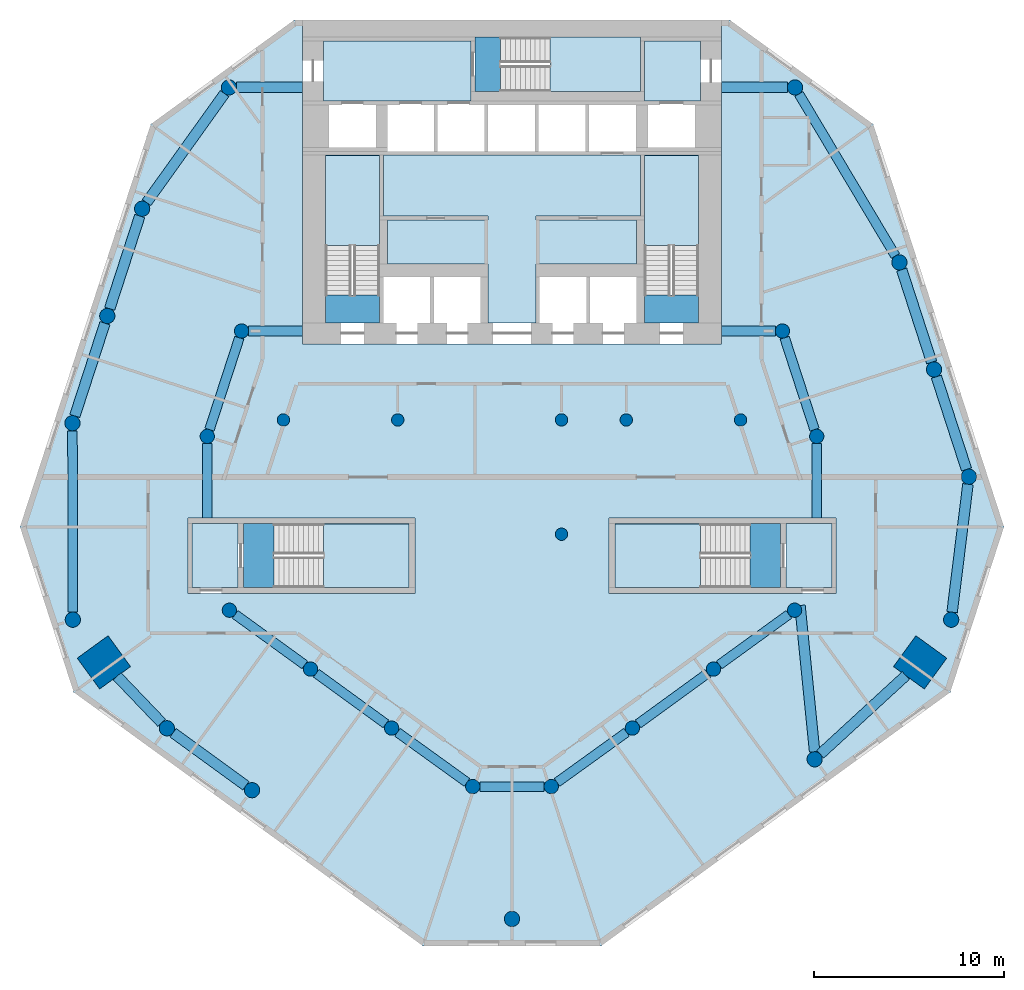
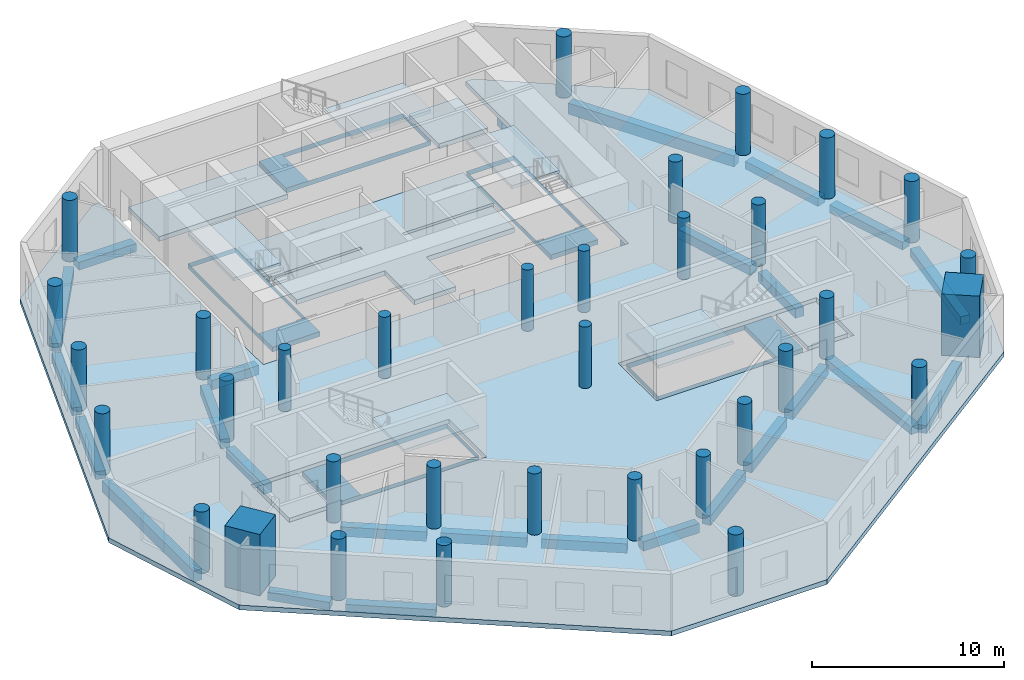
# One storey, part 1 of 9: 34 columns, 27 beams, 16 slabs, 5 elements without a shape of their own.
"""IFC4 building model written with IfcOpenShell, lengths in metres."""

from ifc_helpers import new_model, si_unit, direction, frame, origin, origin_2d, place, context, subcontext, project, spatial, polyline, rectangle, circle, outline, extrude, material, layer, layer_set, material_profile, profile_set, type_object, element, aggregate, save


model = new_model("IFC4")

# Units and contexts
model_context = context("Model", 3, precision=1e-05, world=origin(), true_north=direction((0.0, 1.0)))
body_context = subcontext(model_context, "Body", "Model", "MODEL_VIEW")
ifc_project = project(units=[si_unit("LENGTHUNIT", "METRE"), si_unit("AREAUNIT", "SQUARE_METRE"), si_unit("VOLUMEUNIT", "CUBIC_METRE"), si_unit("PLANEANGLEUNIT", "RADIAN"), si_unit("MASSUNIT", "GRAM", prefix="KILO")], contexts=[model_context])

# Site, building, storey
site_placement = place(None, origin())
site = spatial("IfcSite", under=ifc_project, at=site_placement, CompositionType="ELEMENT")
building_placement = place(site_placement, origin())
building = spatial("IfcBuilding", under=site, at=building_placement, Name="White Candle Pilgrim Tower", CompositionType="ELEMENT")
storey_placement = place(building_placement, frame((0.0, 0.0, 110.300048828125)))
storey = spatial("IfcBuildingStorey", under=building, at=storey_placement, Name="L24", CompositionType="ELEMENT", Elevation=110.300048828125)

# Columns
ifc_material_1 = material(Name="Concrete C80/95", Category="concrete")
ifc_material_profile_1 = material_profile(ifc_material_1, circle(Radius=0.324951171875, at=origin_2d()), Name="RC-COL D650")
ifc_profile_set_1 = profile_set([ifc_material_profile_1], Name="Concrete C80/95")
column_type_1 = type_object("IfcColumnType", Name="Interior column RC-COL D650 C80/95", PredefinedType="COLUMN", material=ifc_profile_set_1)
for number, where, z_axis, x_axis, name in (
    (1, (58.0, 67.0, 0.0), (0.0, 0.0, 1.0), (1.0, 0.0, 0.0), "L24 column I01"),
    (2, (64.0, 67.0, 0.0), (0.0, 0.0, 1.0), (1.0, 0.0, 0.0), "L24 column I02"),
    (3, (72.60009765625, 61.0, 0.0), (0.0, 0.0, 1.0), (1.0, 0.0, 0.0), "L24 column I03"),
    (4, (72.60009765625, 67.0, 0.0), (0.0, 0.0, 1.0), (1.0, 0.0, 0.0), "L24 column I04"),
    (5, (76.0, 67.0, 0.0), (0.0, 0.0, 1.0), (1.0, 0.0, 0.0), "L24 column I05"),
    (6, (82.0, 67.0, 0.0), (0.0, 0.0, 1.0), (1.0, 0.0, 0.0), "L24 column I06"),
):
    element("IfcColumn", number, at=place(storey_placement, frame(where, z_axis=z_axis, x_axis=x_axis)), inside=storey, type_object=column_type_1, Name=name, PredefinedType="COLUMN", context=body_context, shape_type="SweptSolid", body=[
        extrude(circle(Radius=0.324951171875, at=origin_2d()), origin(), (0.0, 0.0, 1.0), 3.89990234375),
    ])
ifc_material_profile_2 = material_profile(ifc_material_1, rectangle(XDim=2.0, YDim=2.0, at=origin_2d()), Name="RC 2000x2000")
ifc_profile_set_2 = profile_set([ifc_material_profile_2], Name="Concrete C80/95")
column_type_2 = type_object("IfcColumnType", Name="Mega column RC 2000x2000 C80/95", PredefinedType="COLUMN", material=ifc_profile_set_2)
for number, where, z_axis, x_axis, name in (
    (7, (48.570068359375, 54.27001953125, 0.0), (0.0, 0.0, 1.0), (-0.809016994375, -0.587785252292, 0.0), "L24 mega column T02"),
    (8, (91.429931640625, 54.27001953125, 0.0), (0.0, 0.0, 1.0), (0.809016994375, -0.587785252292, 0.0), "L24 mega column T07"),
):
    element("IfcColumn", number, at=place(storey_placement, frame(where, z_axis=z_axis, x_axis=x_axis)), inside=storey, type_object=column_type_2, Name=name, PredefinedType="COLUMN", context=body_context, shape_type="SweptSolid", body=[
        extrude(rectangle(XDim=2.0, YDim=2.0, at=origin_2d()), origin(), (0.0, 0.0, 1.0), 3.89990234375),
    ])
ifc_material_profile_3 = material_profile(ifc_material_1, circle(Radius=0.39990234375, at=origin_2d()), Name="RC-COL D800")
ifc_profile_set_3 = profile_set([ifc_material_profile_3], Name="Concrete C80/95")
column_type_3 = type_object("IfcColumnType", Name="Perimeter column RC-COL D800 C80/95", PredefinedType="COLUMN", material=ifc_profile_set_3)
for number, where, z_axis, x_axis, name in (
    (9, (46.93994140625, 56.510009765625, 0.0), (0.0, 0.0, 1.0), (1.0, 0.0, 0.0), "L24 column T01"),
    (10, (51.8798828125, 50.81005859375, 0.0), (0.0, 0.0, 1.0), (1.0, 0.0, 0.0), "L24 column T03"),
    (11, (56.35009765625, 47.56005859375, 0.0), (0.0, 0.0, 1.0), (1.0, 0.0, 0.0), "L24 column T04"),
    (12, (70.0, 40.800048828125, 0.0), (0.0, 0.0, 1.0), (1.0, 0.0, 0.0), "L24 column T05"),
    (13, (85.889892578125, 49.179931640625, 0.0), (0.0, 0.0, 1.0), (1.0, 0.0, 0.0), "L24 column T06"),
    (14, (93.06005859375, 56.510009765625, 0.0), (0.0, 0.0, 1.0), (1.0, 0.0, 0.0), "L24 column T08"),
    (15, (93.989990234375, 64.02001953125, 0.0), (0.0, 0.0, 1.0), (1.0, 0.0, 0.0), "L24 column T09"),
    (16, (92.159912109375, 69.64990234375, 0.0), (0.0, 0.0, 1.0), (1.0, 0.0, 0.0), "L24 column T10"),
    (17, (90.340087890625, 75.27001953125, 0.0), (0.0, 0.0, 1.0), (1.0, 0.0, 0.0), "L24 column T11"),
    (18, (84.860107421875, 84.4599609375, 0.0), (0.0, 0.0, 1.0), (1.0, 0.0, 0.0), "L24 column T12"),
    (19, (55.139892578125, 84.4599609375, 0.0), (0.0, 0.0, 1.0), (1.0, 0.0, 0.0), "L24 column T13"),
    (20, (50.580078125, 78.090087890625, 0.0), (0.0, 0.0, 1.0), (1.0, 0.0, 0.0), "L24 column T14"),
    (21, (48.75, 72.4599609375, 0.0), (0.0, 0.0, 1.0), (1.0, 0.0, 0.0), "L24 column T15"),
    (22, (46.919921875, 66.830078125, 0.0), (0.0, 0.0, 1.0), (1.0, 0.0, 0.0), "L24 column T16"),
):
    element("IfcColumn", number, at=place(storey_placement, frame(where, z_axis=z_axis, x_axis=x_axis)), inside=storey, type_object=column_type_3, Name=name, PredefinedType="COLUMN", context=body_context, shape_type="SweptSolid", body=[
        extrude(circle(Radius=0.39990234375, at=origin_2d()), origin(), (0.0, 0.0, 1.0), 3.89990234375),
    ])
ifc_material_profile_4 = material_profile(ifc_material_1, circle(Radius=0.375, at=origin_2d()), Name="RC-COL D750")
ifc_profile_set_4 = profile_set([ifc_material_profile_4], Name="Concrete C80/95")
column_type_4 = type_object("IfcColumnType", Name="Ring column RC-COL D750 C80/95", PredefinedType="COLUMN", material=ifc_profile_set_4)
for number, where, z_axis, x_axis, name in (
    (23, (55.159912109375, 57.010009765625, 0.0), (0.0, 0.0, 1.0), (1.0, 0.0, 0.0), "L24 column R01"),
    (24, (59.419921875, 53.919921875, 0.0), (0.0, 0.0, 1.0), (1.0, 0.0, 0.0), "L24 column R02"),
    (25, (63.679931640625, 50.820068359375, 0.0), (0.0, 0.0, 1.0), (1.0, 0.0, 0.0), "L24 column R03"),
    (26, (67.93994140625, 47.75, 0.0), (0.0, 0.0, 1.0), (1.0, 0.0, 0.0), "L24 column R04"),
    (27, (72.06005859375, 47.75, 0.0), (0.0, 0.0, 1.0), (1.0, 0.0, 0.0), "L24 column R05"),
    (28, (76.320068359375, 50.820068359375, 0.0), (0.0, 0.0, 1.0), (1.0, 0.0, 0.0), "L24 column R06"),
    (29, (80.580078125, 53.919921875, 0.0), (0.0, 0.0, 1.0), (1.0, 0.0, 0.0), "L24 column R07"),
    (30, (84.840087890625, 57.010009765625, 0.0), (0.0, 0.0, 1.0), (1.0, 0.0, 0.0), "L24 column R08"),
    (31, (86.0, 66.139892578125, 0.0), (0.0, 0.0, 1.0), (1.0, 0.0, 0.0), "L24 column R09"),
    (32, (84.199951171875, 71.669921875, 0.0), (0.0, 0.0, 1.0), (1.0, 0.0, 0.0), "L24 column R10"),
    (33, (55.800048828125, 71.669921875, 0.0), (0.0, 0.0, 1.0), (1.0, 0.0, 0.0), "L24 column R11"),
    (34, (54.0, 66.139892578125, 0.0), (0.0, 0.0, 1.0), (1.0, 0.0, 0.0), "L24 column R12"),
):
    element("IfcColumn", number, at=place(storey_placement, frame(where, z_axis=z_axis, x_axis=x_axis)), inside=storey, type_object=column_type_4, Name=name, PredefinedType="COLUMN", context=body_context, shape_type="SweptSolid", body=[
        extrude(circle(Radius=0.375, at=origin_2d()), origin(), (0.0, 0.0, 1.0), 3.89990234375),
    ])

# Beams
ifc_material_2 = material(Name="Concrete C50/60", Category="concrete")
ifc_material_profile_5 = material_profile(ifc_material_2, rectangle(XDim=0.5, YDim=0.60009765625, at=origin_2d()), Name="RC-BM 500x600")
ifc_profile_set_5 = profile_set([ifc_material_profile_5], Name="Concrete C50/60")
beam_type_1 = type_object("IfcBeamType", Name="Ring beam RC-BM 500x600 C50/60", PredefinedType="BEAM", material=ifc_profile_set_5)
beam_1_placement = place(storey_placement, frame((55.46337890625, 56.789794921875, -0.60009765625), z_axis=(0.809505029053, -0.587112943084, 0.0), x_axis=(0.587112943084, 0.809505029053, 0.0)))
element("IfcBeam", 35, at=beam_1_placement, inside=storey, type_object=beam_type_1, Name="L24 ring beam R01", PredefinedType="BEAM", context=body_context, shape_type="SweptSolid", body=[
    extrude(rectangle(XDim=0.5, YDim=0.60009765625, at=origin_2d()), origin(), (0.0, 0.0, 1.0), 4.512939453125),
])
beam_2_placement = place(storey_placement, frame((59.72314453125, 53.699462890625, -0.60009765625), z_axis=(0.808565500751, -0.588406178583, 0.0), x_axis=(0.588406178583, 0.808565500751, 0.0)))
element("IfcBeam", 36, at=beam_2_placement, inside=storey, type_object=beam_type_1, Name="L24 ring beam R02", PredefinedType="BEAM", context=body_context, shape_type="SweptSolid", body=[
    extrude(rectangle(XDim=0.5, YDim=0.60009765625, at=origin_2d()), origin(), (0.0, 0.0, 1.0), 4.518798828125),
])
beam_3_placement = place(storey_placement, frame((63.984130859375, 50.600830078125, -0.60009765625), z_axis=(0.811270905805, -0.584670434856, 0.0), x_axis=(0.584670434856, 0.811270905805, 0.0)))
element("IfcBeam", 37, at=beam_3_placement, inside=storey, type_object=beam_type_1, Name="L24 ring beam R03", PredefinedType="BEAM", context=body_context, shape_type="SweptSolid", body=[
    extrude(rectangle(XDim=0.5, YDim=0.60009765625, at=origin_2d()), origin(), (0.0, 0.0, 1.0), 4.50146484375),
])
beam_4_placement = place(storey_placement, frame((68.31494140625, 47.75, -0.60009765625), z_axis=(1.0, 0.0, 0.0), x_axis=(0.0, 1.0, 0.0)))
element("IfcBeam", 38, at=beam_4_placement, inside=storey, type_object=beam_type_1, Name="L24 ring beam R04", PredefinedType="BEAM", context=body_context, shape_type="SweptSolid", body=[
    extrude(rectangle(XDim=0.5, YDim=0.60009765625, at=origin_2d()), origin(), (0.0, 0.0, 1.0), 3.3701171875),
])
beam_5_placement = place(storey_placement, frame((72.364013671875, 47.968994140625, -0.60009765625), z_axis=(0.811270905805, 0.584670434856, 0.0), x_axis=(-0.584670434856, 0.811270905805, 0.0)))
element("IfcBeam", 39, at=beam_5_placement, inside=storey, type_object=beam_type_1, Name="L24 ring beam R05", PredefinedType="BEAM", context=body_context, shape_type="SweptSolid", body=[
    extrude(rectangle(XDim=0.5, YDim=0.60009765625, at=origin_2d()), origin(), (0.0, 0.0, 1.0), 4.50146484375),
])
beam_6_placement = place(storey_placement, frame((76.623046875, 51.04052734375, -0.60009765625), z_axis=(0.808565500751, 0.588406178583, 0.0), x_axis=(-0.588406178583, 0.808565500751, 0.0)))
element("IfcBeam", 40, at=beam_6_placement, inside=storey, type_object=beam_type_1, Name="L24 ring beam R06", PredefinedType="BEAM", context=body_context, shape_type="SweptSolid", body=[
    extrude(rectangle(XDim=0.5, YDim=0.60009765625, at=origin_2d()), origin(), (0.0, 0.0, 1.0), 4.518798828125),
])
beam_7_placement = place(storey_placement, frame((80.88330078125, 54.14013671875, -0.60009765625), z_axis=(0.809505029053, 0.587112943084, 0.0), x_axis=(-0.587112943084, 0.809505029053, 0.0)))
element("IfcBeam", 41, at=beam_7_placement, inside=storey, type_object=beam_type_1, Name="L24 ring beam R07", PredefinedType="BEAM", context=body_context, shape_type="SweptSolid", body=[
    extrude(rectangle(XDim=0.5, YDim=0.60009765625, at=origin_2d()), origin(), (0.0, 0.0, 1.0), 4.512939453125),
])
beam_8_placement = place(storey_placement, frame((86.0, 65.764892578125, -0.60009765625), z_axis=(0.0, -1.0, 0.0), x_axis=(1.0, 0.0, 0.0)))
element("IfcBeam", 42, at=beam_8_placement, inside=storey, type_object=beam_type_1, Name="L24 ring beam R08", PredefinedType="BEAM", context=body_context, shape_type="SweptSolid", body=[
    extrude(rectangle(XDim=0.5, YDim=0.60009765625, at=origin_2d()), origin(), (0.0, 0.0, 1.0), 3.914794921875),
])
beam_9_placement = place(storey_placement, frame((85.884033203125, 66.49658203125, -0.60009765625), z_axis=(-0.309554632353, 0.950881659087, 0.0), x_axis=(-0.950881659087, -0.309554632353, 0.0)))
element("IfcBeam", 43, at=beam_9_placement, inside=storey, type_object=beam_type_1, Name="L24 ring beam R09", PredefinedType="BEAM", context=body_context, shape_type="SweptSolid", body=[
    extrude(rectangle(XDim=0.5, YDim=0.60009765625, at=origin_2d()), origin(), (0.0, 0.0, 1.0), 5.065673828125),
])
for number, where, z_axis, x_axis, name in (
    (44, (83.824951171875, 71.669921875, -0.60009765625), (-1.0, 0.0, 0.0), (0.0, -1.0, 0.0), "L24 ring beam R10"),
    (45, (56.175048828125, 71.669921875, -0.60009765625), (1.0, 0.0, 0.0), (0.0, 1.0, 0.0), "L24 ring beam R11"),
):
    element("IfcBeam", number, at=place(storey_placement, frame(where, z_axis=z_axis, x_axis=x_axis)), inside=storey, type_object=beam_type_1, Name=name, PredefinedType="BEAM", context=body_context, shape_type="SweptSolid", body=[
        extrude(rectangle(XDim=0.5, YDim=0.60009765625, at=origin_2d()), origin(), (0.0, 0.0, 1.0), 2.824951171875),
    ])
beam_10_placement = place(storey_placement, frame((55.68408203125, 71.3134765625, -0.60009765625), z_axis=(-0.309554632353, -0.950881659087, 0.0), x_axis=(0.950881659087, -0.309554632353, 0.0)))
element("IfcBeam", 46, at=beam_10_placement, inside=storey, type_object=beam_type_1, Name="L24 ring beam R12", PredefinedType="BEAM", context=body_context, shape_type="SweptSolid", body=[
    extrude(rectangle(XDim=0.5, YDim=0.60009765625, at=origin_2d()), origin(), (0.0, 0.0, 1.0), 5.065673828125),
])
beam_11_placement = place(storey_placement, frame((54.0, 65.764892578125, -0.60009765625), z_axis=(0.0, -1.0, 0.0), x_axis=(1.0, 0.0, 0.0)))
element("IfcBeam", 47, at=beam_11_placement, inside=storey, type_object=beam_type_1, Name="L24 ring beam R13", PredefinedType="BEAM", context=body_context, shape_type="SweptSolid", body=[
    extrude(rectangle(XDim=0.5, YDim=0.60009765625, at=origin_2d()), origin(), (0.0, 0.0, 1.0), 3.914794921875),
])
ifc_material_profile_6 = material_profile(ifc_material_2, rectangle(XDim=0.5, YDim=0.699951171875, at=origin_2d()), Name="RC-BM 500x700")
ifc_profile_set_6 = profile_set([ifc_material_profile_6], Name="Concrete C50/60")
beam_type_2 = type_object("IfcBeamType", Name="Spandrel beam RC-BM 500x700 C50/60", PredefinedType="BEAM", material=ifc_profile_set_6)
beam_12_placement = place(storey_placement, frame((90.13525390625, 75.61328125, -0.650146484375), z_axis=(-0.51215480768, 0.858893155736, 0.0), x_axis=(-0.858893155736, -0.51215480768, 0.0)))
element("IfcBeam", 48, at=beam_12_placement, inside=storey, type_object=beam_type_2, Name="L24 spandrel beam T08", PredefinedType="BEAM", context=body_context, shape_type="SweptSolid", body=[
    extrude(rectangle(XDim=0.5, YDim=0.699951171875, at=origin_2d()), origin(), (0.0, 0.0, 1.0), 9.900390625),
])
beam_13_placement = place(storey_placement, frame((46.9208984375, 66.429931640625, -0.650146484375), z_axis=(0.001923369269, -0.999998150324, 0.0), x_axis=(0.999998150324, 0.001923369269, 0.0)))
element("IfcBeam", 49, at=beam_13_placement, inside=storey, type_object=beam_type_2, Name="L24 spandrel beam T14", PredefinedType="BEAM", context=body_context, shape_type="SweptSolid", body=[
    extrude(rectangle(XDim=0.5, YDim=0.699951171875, at=origin_2d()), origin(), (0.0, 0.0, 1.0), 9.52001953125),
])
ifc_material_profile_7 = material_profile(ifc_material_2, rectangle(XDim=0.550048828125, YDim=0.5, at=origin_2d()), Name="RC-BM 550x500")
ifc_profile_set_7 = profile_set([ifc_material_profile_7], Name="Concrete C50/60")
beam_type_3 = type_object("IfcBeamType", Name="Spandrel beam RC-BM 550x500 C50/60", PredefinedType="BEAM", material=ifc_profile_set_7)
beam_14_placement = place(storey_placement, frame((49.267578125, 53.540771484375, -0.550048828125), z_axis=(0.6912554522, -0.722610475847, 0.0), x_axis=(0.722610475847, 0.6912554522, 0.0)))
element("IfcBeam", 50, at=beam_14_placement, inside=storey, type_object=beam_type_3, Name="L24 spandrel beam T01", PredefinedType="BEAM", context=body_context, shape_type="SweptSolid", body=[
    extrude(rectangle(XDim=0.550048828125, YDim=0.5, at=origin_2d()), origin(), (0.0, 0.0, 1.0), 3.379150390625),
])
beam_15_placement = place(storey_placement, frame((52.203369140625, 50.574951171875, -0.550048828125), z_axis=(0.808812014489, -0.5880672795, 0.0), x_axis=(0.5880672795, 0.808812014489, 0.0)))
element("IfcBeam", 51, at=beam_15_placement, inside=storey, type_object=beam_type_3, Name="L24 spandrel beam T02", PredefinedType="BEAM", context=body_context, shape_type="SweptSolid", body=[
    extrude(rectangle(XDim=0.550048828125, YDim=0.5, at=origin_2d()), origin(), (0.0, 0.0, 1.0), 4.72705078125),
])
beam_16_placement = place(storey_placement, frame((85.889892578125, 49.580078125, -0.550048828125), z_axis=(-0.099547579937, 0.995032803142, 0.0), x_axis=(-0.995032803142, -0.099547579937, 0.0)))
element("IfcBeam", 52, at=beam_16_placement, inside=storey, type_object=beam_type_3, Name="L24 spandrel beam T03", PredefinedType="BEAM", context=body_context, shape_type="SweptSolid", body=[
    extrude(rectangle(XDim=0.550048828125, YDim=0.5, at=origin_2d()), origin(), (0.0, 0.0, 1.0), 7.715576171875),
])
beam_17_placement = place(storey_placement, frame((86.184326171875, 49.450439453125, -0.550048828125), z_axis=(0.736374917929, 0.67657370644, 0.0), x_axis=(-0.67657370644, 0.736374917929, 0.0)))
element("IfcBeam", 53, at=beam_17_placement, inside=storey, type_object=beam_type_3, Name="L24 spandrel beam T04", PredefinedType="BEAM", context=body_context, shape_type="SweptSolid", body=[
    extrude(rectangle(XDim=0.550048828125, YDim=0.5, at=origin_2d()), origin(), (0.0, 0.0, 1.0), 6.103271484375),
])
beam_18_placement = place(storey_placement, frame((93.109130859375, 56.906982421875, -0.550048828125), z_axis=(0.122911300598, 0.992417660154, 0.0), x_axis=(-0.992417660154, 0.122911300598, 0.0)))
element("IfcBeam", 54, at=beam_18_placement, inside=storey, type_object=beam_type_3, Name="L24 spandrel beam T05", PredefinedType="BEAM", context=body_context, shape_type="SweptSolid", body=[
    extrude(rectangle(XDim=0.550048828125, YDim=0.5, at=origin_2d()), origin(), (0.0, 0.0, 1.0), 6.767333984375),
])
beam_19_placement = place(storey_placement, frame((93.866455078125, 64.400390625, -0.550048828125), z_axis=(-0.309123808161, 0.95102180376, 0.0), x_axis=(-0.95102180376, -0.309123808161, 0.0)))
element("IfcBeam", 55, at=beam_19_placement, inside=storey, type_object=beam_type_3, Name="L24 spandrel beam T06", PredefinedType="BEAM", context=body_context, shape_type="SweptSolid", body=[
    extrude(rectangle(XDim=0.550048828125, YDim=0.5, at=origin_2d()), origin(), (0.0, 0.0, 1.0), 5.1201171875),
])
beam_20_placement = place(storey_placement, frame((92.036865234375, 70.030517578125, -0.550048828125), z_axis=(-0.308114253226, 0.951349361149, 0.0), x_axis=(-0.951349361149, -0.308114253226, 0.0)))
element("IfcBeam", 56, at=beam_20_placement, inside=storey, type_object=beam_type_3, Name="L24 spandrel beam T07", PredefinedType="BEAM", context=body_context, shape_type="SweptSolid", body=[
    extrude(rectangle(XDim=0.550048828125, YDim=0.5, at=origin_2d()), origin(), (0.0, 0.0, 1.0), 5.107666015625),
])
for number, where, z_axis, x_axis, name in (
    (57, (84.4599609375, 84.4599609375, -0.550048828125), (-1.0, 0.0, 0.0), (0.0, -1.0, 0.0), "L24 spandrel beam T09"),
    (58, (55.5400390625, 84.4599609375, -0.550048828125), (1.0, 0.0, 0.0), (0.0, 1.0, 0.0), "L24 spandrel beam T10"),
):
    element("IfcBeam", number, at=place(storey_placement, frame(where, z_axis=z_axis, x_axis=x_axis)), inside=storey, type_object=beam_type_3, Name=name, PredefinedType="BEAM", context=body_context, shape_type="SweptSolid", body=[
        extrude(rectangle(XDim=0.550048828125, YDim=0.5, at=origin_2d()), origin(), (0.0, 0.0, 1.0), 3.4599609375),
    ])
beam_21_placement = place(storey_placement, frame((54.9072265625, 84.135009765625, -0.550048828125), z_axis=(-0.582065224797, -0.813142099563, 0.0), x_axis=(0.813142099563, -0.582065224797, 0.0)))
element("IfcBeam", 59, at=beam_21_placement, inside=storey, type_object=beam_type_3, Name="L24 spandrel beam T11", PredefinedType="BEAM", context=body_context, shape_type="SweptSolid", body=[
    extrude(rectangle(XDim=0.550048828125, YDim=0.5, at=origin_2d()), origin(), (0.0, 0.0, 1.0), 7.034423828125),
])
for number, where, z_axis, x_axis, name in (
    (60, (50.456298828125, 77.709716796875, -0.550048828125), (-0.309123808161, -0.95102180376, 0.0), (0.95102180376, -0.309123808161, 0.0), "L24 spandrel beam T12"),
    (61, (48.62646484375, 72.07958984375, -0.550048828125), (-0.309123808161, -0.95102180376, 0.0), (0.95102180376, -0.309123808161, 0.0), "L24 spandrel beam T13"),
):
    element("IfcBeam", number, at=place(storey_placement, frame(where, z_axis=z_axis, x_axis=x_axis)), inside=storey, type_object=beam_type_3, Name=name, PredefinedType="BEAM", context=body_context, shape_type="SweptSolid", body=[
        extrude(rectangle(XDim=0.550048828125, YDim=0.5, at=origin_2d()), origin(), (0.0, 0.0, 1.0), 5.1201171875),
    ])

# Slabs
ifc_material_3 = material(Name="Concrete C40/50", Category="concrete")
ifc_layer_1 = layer(ifc_material_3, 0.300048828125)
ifc_layer_set_1 = layer_set([ifc_layer_1], Name="Core floor slab 300 mm Concrete C40/50")
slab_type_1 = type_object("IfcSlabType", Name="Core floor slab 300 mm Concrete C40/50", PredefinedType="FLOOR", material=ifc_layer_set_1)
slab_1_placement = place(storey_placement, frame((0.0, 0.0, -0.300048828125)))
element("IfcSlab", 62, at=slab_1_placement, inside=storey, type_object=slab_type_1, Name="CF-L24-01", PredefinedType="FLOOR", context=body_context, shape_type="SweptSolid", body=[
    extrude(outline(polyline([(55.60009765625, 58.199951171875), (53.199951171875, 58.199951171875), (53.199951171875, 61.550048828125), (55.60009765625, 61.550048828125), (55.60009765625, 58.199951171875)])), origin(), (0.0, 0.0, 1.0), 0.300048828125),
])
slab_2_placement = place(storey_placement, frame((0.0, 0.0, -0.300048828125)))
element("IfcSlab", 63, at=slab_2_placement, inside=storey, type_object=slab_type_1, Name="CF-L24-02", PredefinedType="FLOOR", context=body_context, shape_type="SweptSolid", body=[
    extrude(outline(polyline([(55.89990234375, 58.199951171875), (55.89990234375, 61.550048828125), (64.60009765625, 61.550048828125), (64.60009765625, 58.199951171875), (55.89990234375, 58.199951171875)]), holes=[polyline([(57.501953125, 61.548095703125), (57.501953125, 58.201904296875), (64.597900390625, 58.201904296875), (64.597900390625, 61.548095703125), (57.501953125, 61.548095703125)])]), origin(), (0.0, 0.0, 1.0), 0.300048828125),
])
slab_3_placement = place(storey_placement, frame((0.0, 0.0, -0.300048828125)))
element("IfcSlab", 64, at=slab_3_placement, inside=storey, type_object=slab_type_1, Name="CF-L24-03", PredefinedType="FLOOR", context=body_context, shape_type="SweptSolid", body=[
    extrude(outline(polyline([(75.39990234375, 58.199951171875), (75.39990234375, 61.550048828125), (84.10009765625, 61.550048828125), (84.10009765625, 58.199951171875), (75.39990234375, 58.199951171875)]), holes=[polyline([(82.498046875, 58.201904296875), (82.498046875, 61.548095703125), (75.402099609375, 61.548095703125), (75.402099609375, 58.201904296875), (82.498046875, 58.201904296875)])]), origin(), (0.0, 0.0, 1.0), 0.300048828125),
])
slab_4_placement = place(storey_placement, frame((0.0, 0.0, -0.300048828125)))
element("IfcSlab", 65, at=slab_4_placement, inside=storey, type_object=slab_type_1, Name="CF-L24-04", PredefinedType="FLOOR", context=body_context, shape_type="SweptSolid", body=[
    extrude(outline(polyline([(86.800048828125, 58.199951171875), (84.39990234375, 58.199951171875), (84.39990234375, 61.550048828125), (86.800048828125, 61.550048828125), (86.800048828125, 58.199951171875)])), origin(), (0.0, 0.0, 1.0), 0.300048828125),
])
slab_5_placement = place(storey_placement, frame((0.0, 0.0, -0.300048828125)))
element("IfcSlab", 66, at=slab_5_placement, inside=storey, type_object=slab_type_1, Name="CF-L24-05", PredefinedType="FLOOR", context=body_context, shape_type="SweptSolid", body=[
    extrude(outline(polyline([(76.75, 87.10009765625), (76.75, 86.89990234375), (76.75, 84.25), (68.050048828125, 84.25), (68.050048828125, 86.89990234375), (68.050048828125, 87.10009765625), (76.75, 87.10009765625)]), holes=[polyline([(69.402099609375, 87.097900390625), (69.402099609375, 84.251953125), (76.748046875, 84.251953125), (76.748046875, 87.097900390625), (69.402099609375, 87.097900390625)])]), origin(), (0.0, 0.0, 1.0), 0.300048828125),
])
slab_6_placement = place(storey_placement, frame((0.0, 0.0, -0.300048828125)))
element("IfcSlab", 67, at=slab_6_placement, inside=storey, type_object=slab_type_1, Name="CF-L24-06", PredefinedType="FLOOR", context=body_context, shape_type="SweptSolid", body=[
    extrude(outline(polyline([(79.89990234375, 86.89990234375), (79.89990234375, 83.75), (76.949951171875, 83.75), (76.949951171875, 84.25), (76.949951171875, 86.89990234375), (79.89990234375, 86.89990234375)])), origin(), (0.0, 0.0, 1.0), 0.300048828125),
])
slab_7_placement = place(storey_placement, frame((0.0, 0.0, -0.300048828125)))
element("IfcSlab", 68, at=slab_7_placement, inside=storey, type_object=slab_type_1, Name="CF-L24-07", PredefinedType="FLOOR", context=body_context, shape_type="SweptSolid", body=[
    extrude(outline(polyline([(76.949951171875, 72.10009765625), (76.949951171875, 74.5), (76.949951171875, 75.199951171875), (76.949951171875, 77.5), (76.949951171875, 77.699951171875), (76.949951171875, 80.89990234375), (79.800048828125, 80.89990234375), (79.800048828125, 72.10009765625), (76.949951171875, 72.10009765625)]), holes=[polyline([(76.951904296875, 73.552001953125), (79.798095703125, 73.552001953125), (79.798095703125, 80.89794921875), (76.951904296875, 80.89794921875), (76.951904296875, 73.552001953125)])]), origin(), (0.0, 0.0, 1.0), 0.300048828125),
])
slab_8_placement = place(storey_placement, frame((0.0, 0.0, -0.300048828125)))
element("IfcSlab", 69, at=slab_8_placement, inside=storey, type_object=slab_type_1, Name="CF-L24-08", PredefinedType="FLOOR", context=body_context, shape_type="SweptSolid", body=[
    extrude(outline(polyline([(68.75, 72.10009765625), (68.75, 74.5), (68.75, 75.199951171875), (63.449951171875, 75.199951171875), (63.449951171875, 77.5), (68.75, 77.5), (68.75, 77.699951171875), (63.25, 77.699951171875), (63.25, 80.89990234375), (76.75, 80.89990234375), (76.75, 77.699951171875), (71.25, 77.699951171875), (71.25, 77.5), (76.550048828125, 77.5), (76.550048828125, 75.199951171875), (71.25, 75.199951171875), (71.25, 74.5), (71.25, 72.10009765625), (68.75, 72.10009765625)])), origin(), (0.0, 0.0, 1.0), 0.300048828125),
])
slab_9_placement = place(storey_placement, frame((0.0, 0.0, -0.300048828125)))
element("IfcSlab", 70, at=slab_9_placement, inside=storey, type_object=slab_type_1, Name="CF-L24-09", PredefinedType="FLOOR", context=body_context, shape_type="SweptSolid", body=[
    extrude(outline(polyline([(60.199951171875, 72.10009765625), (60.199951171875, 80.89990234375), (63.050048828125, 80.89990234375), (63.050048828125, 77.699951171875), (63.050048828125, 77.5), (63.050048828125, 75.199951171875), (63.050048828125, 74.5), (63.050048828125, 72.10009765625), (60.199951171875, 72.10009765625)]), holes=[polyline([(60.201904296875, 73.552001953125), (63.048095703125, 73.552001953125), (63.048095703125, 80.89794921875), (60.201904296875, 80.89794921875), (60.201904296875, 73.552001953125)])]), origin(), (0.0, 0.0, 1.0), 0.300048828125),
])
slab_10_placement = place(storey_placement, frame((0.0, 0.0, -0.300048828125)))
element("IfcSlab", 71, at=slab_10_placement, inside=storey, type_object=slab_type_1, Name="CF-L24-10", PredefinedType="FLOOR", context=body_context, shape_type="SweptSolid", body=[
    extrude(outline(polyline([(60.10009765625, 86.89990234375), (67.85009765625, 86.89990234375), (67.85009765625, 84.25), (67.85009765625, 83.75), (60.10009765625, 83.75), (60.10009765625, 86.89990234375)])), origin(), (0.0, 0.0, 1.0), 0.300048828125),
])
ifc_layer_2 = layer(ifc_material_3, 0.300048828125)
ifc_layer_set_2 = layer_set([ifc_layer_2], Name="Floor slab 300 REI 120")
slab_type_2 = type_object("IfcSlabType", Name="Floor slab 300 REI 120", PredefinedType="FLOOR", material=ifc_layer_set_2)
slab_11_placement = place(storey_placement, frame((0.0, 0.0, -0.300048828125)))
element("IfcSlab", 72, at=slab_11_placement, inside=storey, type_object=slab_type_2, Name="L24 floor slab", PredefinedType="FLOOR", context=body_context, shape_type="SweptSolid", body=[
    extrude(outline(polyline([(65.31689453125, 39.385009765625), (74.68310546875, 39.385009765625), (93.011962890625, 52.701904296875), (95.833740234375, 61.38671875), (88.96337890625, 82.53173828125), (81.43701171875, 88.0), (81.0, 88.0), (81.0, 71.0), (59.0, 71.0), (59.0, 88.0), (58.56298828125, 88.0), (51.03662109375, 82.53173828125), (44.166259765625, 61.38671875), (46.98828125, 52.701904296875), (65.31689453125, 39.385009765625)]), holes=[polyline([(53.0, 57.89990234375), (53.0, 61.85009765625), (64.89990234375, 61.85009765625), (64.89990234375, 57.89990234375), (53.0, 57.89990234375)]), polyline([(75.10009765625, 57.89990234375), (75.10009765625, 61.85009765625), (87.0, 61.85009765625), (87.0, 57.89990234375), (75.10009765625, 57.89990234375)])]), origin(), (0.0, 0.0, 1.0), 0.300048828125),
])

# Stair, slab
stair_type_1 = type_object("IfcStairType", Name="Exit stair 1 flight width 1350 mm", PredefinedType="HALF_TURN_STAIR", material=ifc_material_3)
stair_1_placement = place(storey_placement, origin())
stair_1 = element("IfcStair", 73, at=stair_1_placement, inside=storey, type_object=stair_type_1, Name="L24 stair 1", PredefinedType="NOTDEFINED")
ifc_layer_3 = layer(ifc_material_3, 0.199951171875)
ifc_layer_set_3 = layer_set([ifc_layer_3], Name="Stair landing Concrete C40/50")
slab_type_3 = type_object("IfcSlabType", Name="Stair landing Concrete C40/50", PredefinedType="LANDING", material=ifc_layer_set_3)
slab_12_placement = place(storey_placement, frame((0.0, 0.0, 1.75)))
slab_12 = element("IfcSlab", 74, at=slab_12_placement, type_object=slab_type_3, Name="ST1 landing 1", PredefinedType="LANDING", context=body_context, shape_type="SweptSolid", body=[
    extrude(outline(polyline([(63.052001953125, 76.14794921875), (60.197998046875, 76.14794921875), (60.197998046875, 80.902099609375), (63.052001953125, 80.902099609375), (63.052001953125, 76.14794921875)])), origin(), (0.0, 0.0, 1.0), 0.199951171875),
])
aggregate(stair_1, [slab_12])

stair_type_2 = type_object("IfcStairType", Name="Exit stair 2 flight width 1350 mm", PredefinedType="HALF_TURN_STAIR", material=ifc_material_3)
stair_2_placement = place(storey_placement, origin())
stair_2 = element("IfcStair", 75, at=stair_2_placement, inside=storey, type_object=stair_type_2, Name="L24 stair 2", PredefinedType="NOTDEFINED")
slab_13_placement = place(storey_placement, frame((0.0, 0.0, 1.75)))
slab_13 = element("IfcSlab", 76, at=slab_13_placement, type_object=slab_type_3, Name="ST2 landing 1", PredefinedType="LANDING", context=body_context, shape_type="SweptSolid", body=[
    extrude(outline(polyline([(79.802001953125, 76.14794921875), (76.947998046875, 76.14794921875), (76.947998046875, 80.902099609375), (79.802001953125, 80.902099609375), (79.802001953125, 76.14794921875)])), origin(), (0.0, 0.0, 1.0), 0.199951171875),
])
aggregate(stair_2, [slab_13])

stair_type_3 = type_object("IfcStairType", Name="Exit stair 3 flight width 1350 mm", PredefinedType="HALF_TURN_STAIR", material=ifc_material_3)
stair_3_placement = place(storey_placement, origin())
stair_3 = element("IfcStair", 77, at=stair_3_placement, inside=storey, type_object=stair_type_3, Name="L24 stair 3", PredefinedType="NOTDEFINED")
slab_14_placement = place(storey_placement, frame((0.0, 0.0, 1.75)))
slab_14 = element("IfcSlab", 78, at=slab_14_placement, type_object=slab_type_3, Name="ST3 landing 1", PredefinedType="LANDING", context=body_context, shape_type="SweptSolid", body=[
    extrude(outline(polyline([(71.998046875, 84.248046875), (71.998046875, 87.10205078125), (76.751953125, 87.10205078125), (76.751953125, 84.248046875), (71.998046875, 84.248046875)])), origin(), (0.0, 0.0, 1.0), 0.199951171875),
])
aggregate(stair_3, [slab_14])

stair_type_4 = type_object("IfcStairType", Name="Exit stair 4 flight width 1600 mm", PredefinedType="HALF_TURN_STAIR", material=ifc_material_3)
stair_4_placement = place(storey_placement, origin())
stair_4 = element("IfcStair", 79, at=stair_4_placement, inside=storey, type_object=stair_type_4, Name="L24 stair 4", PredefinedType="NOTDEFINED")
slab_15_placement = place(storey_placement, frame((0.0, 0.0, 1.75)))
slab_15 = element("IfcSlab", 80, at=slab_15_placement, type_object=slab_type_3, Name="ST4 landing 1", PredefinedType="LANDING", context=body_context, shape_type="SweptSolid", body=[
    extrude(outline(polyline([(79.902099609375, 61.552001953125), (79.902099609375, 58.197998046875), (75.39794921875, 58.197998046875), (75.39794921875, 61.552001953125), (79.902099609375, 61.552001953125)])), origin(), (0.0, 0.0, 1.0), 0.199951171875),
])
aggregate(stair_4, [slab_15])

stair_type_5 = type_object("IfcStairType", Name="Exit stair 5 flight width 1600 mm", PredefinedType="HALF_TURN_STAIR", material=ifc_material_3)
stair_5_placement = place(storey_placement, origin())
stair_5 = element("IfcStair", 81, at=stair_5_placement, inside=storey, type_object=stair_type_5, Name="L24 stair 5", PredefinedType="NOTDEFINED")
slab_16_placement = place(storey_placement, frame((0.0, 0.0, 1.75)))
slab_16 = element("IfcSlab", 82, at=slab_16_placement, type_object=slab_type_3, Name="ST5 landing 1", PredefinedType="LANDING", context=body_context, shape_type="SweptSolid", body=[
    extrude(outline(polyline([(60.097900390625, 58.197998046875), (60.097900390625, 61.552001953125), (64.60205078125, 61.552001953125), (64.60205078125, 58.197998046875), (60.097900390625, 58.197998046875)])), origin(), (0.0, 0.0, 1.0), 0.199951171875),
])
aggregate(stair_5, [slab_16])

save(model, "model.ifc")
